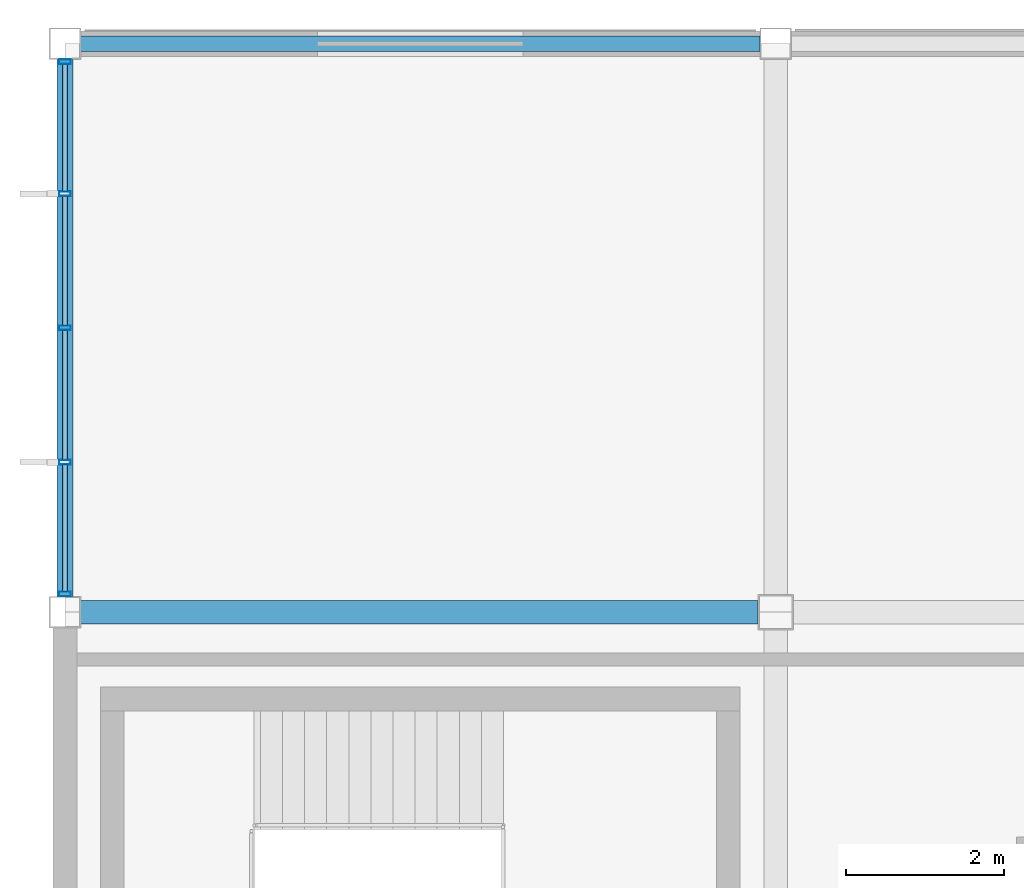
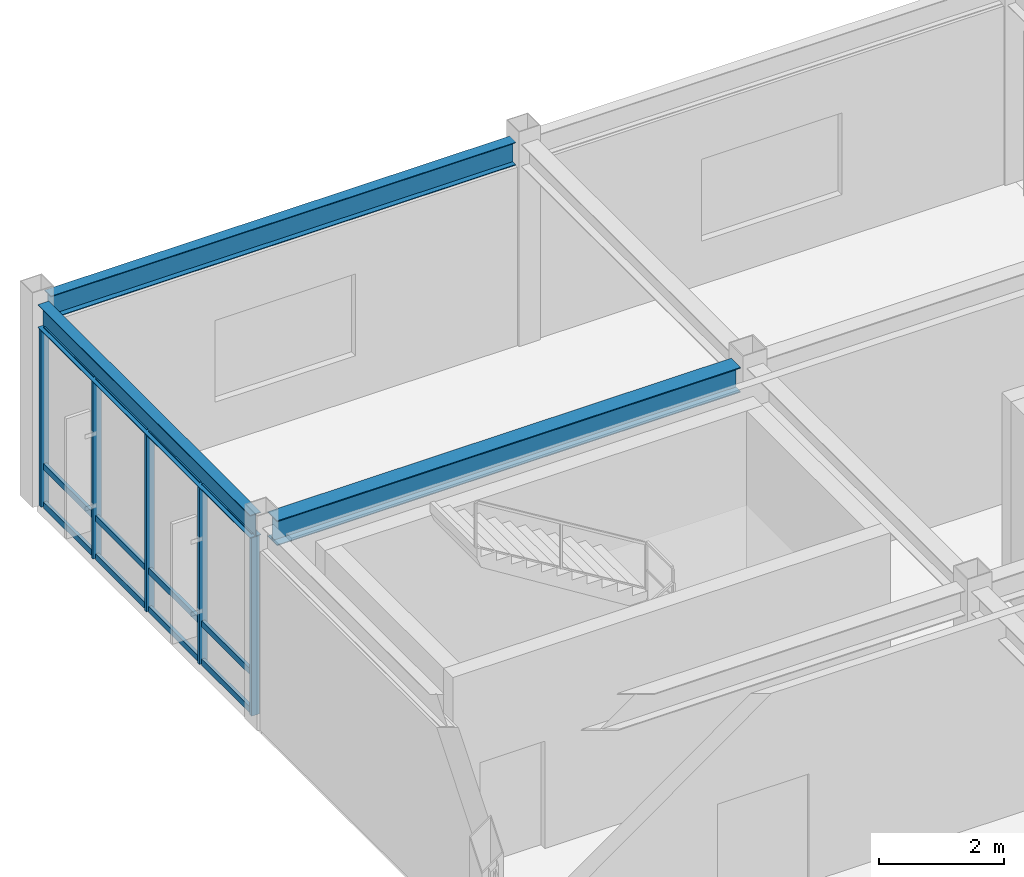
# One storey, part 54 of 106: 17 members, 3 beams, 1 element without a shape of its own.
"""IFC4 building model written with IfcOpenShell, lengths in metres."""

from ifc_helpers import new_model, si_unit, direction, frame, origin, origin_2d, place, context, subcontext, project, spatial, hollow_rectangle, i_section, extrude, material, material_profile, profile_set, type_object, element, aggregate, save


model = new_model("IFC4")

# Units and contexts
model_context = context("Model", 3, precision=1e-05, world=origin(), true_north=direction((0.0, 1.0)))
body_context = subcontext(model_context, "Body", "Model", "MODEL_VIEW")
ifc_project = project(units=[si_unit("LENGTHUNIT", "METRE"), si_unit("AREAUNIT", "SQUARE_METRE"), si_unit("VOLUMEUNIT", "CUBIC_METRE"), si_unit("PLANEANGLEUNIT", "RADIAN"), si_unit("MASSUNIT", "GRAM", prefix="KILO")], contexts=[model_context])

# Site, building, storey
site_placement = place(None, origin())
site = spatial("IfcSite", under=ifc_project, at=site_placement, CompositionType="ELEMENT")
building_placement = place(site_placement, origin())
building = spatial("IfcBuilding", under=site, at=building_placement, Name="Kazanami Central Library", CompositionType="ELEMENT")
storey_placement = place(building_placement, frame((0.0, 0.0, 12.800048828125)))
storey = spatial("IfcBuildingStorey", under=building, at=storey_placement, Name="L04", CompositionType="ELEMENT", Elevation=12.800048828125)

# Beams
ifc_material_1 = material(Name="Steel SN490B (325 MPa)", Category="steel")
ifc_material_profile_1 = material_profile(ifc_material_1, i_section(OverallWidth=0.300048828125, OverallDepth=0.488037109375, WebThickness=0.010986328125, FlangeThickness=0.01806640625, at=origin_2d()), Name="H-488x300x11x18")
ifc_profile_set_1 = profile_set([ifc_material_profile_1], Name="Steel SN490B (325 MPa)")
beam_type_1 = type_object("IfcBeamType", Name="BM-G-X5", PredefinedType="BEAM", material=ifc_profile_set_1)
beam_1_placement = place(storey_placement, frame((0.197998046875, 86.39990234375, 3.696044921875), z_axis=(1.0, 0.0, 0.0), x_axis=(0.0, 1.0, 0.0)))
element("IfcBeam", 1, at=beam_1_placement, inside=storey, type_object=beam_type_1, Name="Girder G-X5 L04 N/1-2", PredefinedType="BEAM", context=body_context, shape_type="SweptSolid", body=[
    extrude(i_section(OverallWidth=0.300048828125, OverallDepth=0.488037109375, WebThickness=0.010986328125, FlangeThickness=0.01806640625, at=origin_2d()), origin(), (0.0, 0.0, 1.0), 8.5791015625),
])
ifc_material_profile_2 = material_profile(ifc_material_1, i_section(OverallWidth=0.199951171875, OverallDepth=0.449951171875, WebThickness=0.009033203125, FlangeThickness=0.013916015625, at=origin_2d()), Name="H-450x200x9x14")
ifc_profile_set_2 = profile_set([ifc_material_profile_2], Name="Steel SN490B (325 MPa)")
beam_type_2 = type_object("IfcBeamType", Name="BM-SP-2", PredefinedType="SPANDREL", material=ifc_profile_set_2)
beam_2_placement = place(storey_placement, frame((0.197998046875, 93.60009765625, 3.71484375), z_axis=(1.0, 0.0, 0.0), x_axis=(0.0, 1.0, 0.0)))
element("IfcBeam", 2, at=beam_2_placement, inside=storey, type_object=beam_type_2, Name="Girder SP-2 L04 O/1-2", PredefinedType="SPANDREL", context=body_context, shape_type="SweptSolid", body=[
    extrude(i_section(OverallWidth=0.199951171875, OverallDepth=0.449951171875, WebThickness=0.009033203125, FlangeThickness=0.013916015625, at=origin_2d()), origin(), (0.0, 0.0, 1.0), 8.60400390625),
])
beam_3_placement = place(storey_placement, frame((0.0, 86.597900390625, 3.71484375), z_axis=(0.0, 1.0, 0.0), x_axis=(-1.0, 0.0, 0.0)))
element("IfcBeam", 3, at=beam_3_placement, inside=storey, type_object=beam_type_2, Name="Girder SP-2 L04 1/N-O", PredefinedType="SPANDREL", context=body_context, shape_type="SweptSolid", body=[
    extrude(i_section(OverallWidth=0.199951171875, OverallDepth=0.449951171875, WebThickness=0.009033203125, FlangeThickness=0.013916015625, at=origin_2d()), origin(), (0.0, 0.0, 1.0), 6.80419921875),
])

# Curtain wall, members
ifc_material_2 = material(Name="Acid-Etched Low-E Laminated Glass", Category="glass")
curtain_wall_type = type_object("IfcCurtainWallType", Name="CW-6800x3490-M180", PredefinedType="USERDEFINED", material=ifc_material_2)
curtain_wall_placement = place(storey_placement, origin())
curtain_wall = element("IfcCurtainWall", 4, at=curtain_wall_placement, inside=storey, type_object=curtain_wall_type, Name="Unitised Curtain Wall CW-43 L04 W-1-12", ObjectType="UNITISED CURTAIN WALL", PredefinedType="USERDEFINED")
ifc_material_3 = material(Name="Anodised Aluminium A6063-T5", Category="aluminium")
ifc_material_profile_3 = material_profile(ifc_material_3, hollow_rectangle(XDim=0.06005859375, YDim=0.14990234375, WallThickness=0.00390625, at=origin_2d()), Name="ALU-MULL-60x150x4")
ifc_profile_set_3 = profile_set([ifc_material_profile_3], Name="Anodised Aluminium A6063-T5")
member_type_1 = type_object("IfcMemberType", Name="MEM-CW-M3", PredefinedType="MULLION", material=ifc_profile_set_3)
member_1_placement = place(storey_placement, frame((0.0, 86.6298828125, 0.0), z_axis=(0.0, 0.0, 1.0), x_axis=(0.0, 1.0, 0.0)))
member_1 = element("IfcMember", 5, at=member_1_placement, type_object=member_type_1, Name="CW-43 mullion 1", PredefinedType="MULLION", context=body_context, shape_type="SweptSolid", body=[
    extrude(hollow_rectangle(XDim=0.06005859375, YDim=0.14990234375, WallThickness=0.00390625, at=origin_2d()), origin(), (0.0, 0.0, 1.0), 3.489990234375),
])
member_2_placement = place(storey_placement, frame((0.0, 88.300048828125, 0.0), z_axis=(0.0, 0.0, 1.0), x_axis=(0.0, 1.0, 0.0)))
member_2 = element("IfcMember", 6, at=member_2_placement, type_object=member_type_1, Name="CW-43 mullion 2", PredefinedType="MULLION", context=body_context, shape_type="SweptSolid", body=[
    extrude(hollow_rectangle(XDim=0.06005859375, YDim=0.14990234375, WallThickness=0.00390625, at=origin_2d()), origin(), (0.0, 0.0, 1.0), 3.489990234375),
])
member_3_placement = place(storey_placement, frame((0.0, 90.0, 0.0), z_axis=(0.0, 0.0, 1.0), x_axis=(0.0, 1.0, 0.0)))
member_3 = element("IfcMember", 7, at=member_3_placement, type_object=member_type_1, Name="CW-43 mullion 3", PredefinedType="MULLION", context=body_context, shape_type="SweptSolid", body=[
    extrude(hollow_rectangle(XDim=0.06005859375, YDim=0.14990234375, WallThickness=0.00390625, at=origin_2d()), origin(), (0.0, 0.0, 1.0), 3.489990234375),
])
member_4_placement = place(storey_placement, frame((0.0, 91.699951171875, 0.0), z_axis=(0.0, 0.0, 1.0), x_axis=(0.0, 1.0, 0.0)))
member_4 = element("IfcMember", 8, at=member_4_placement, type_object=member_type_1, Name="CW-43 mullion 4", PredefinedType="MULLION", context=body_context, shape_type="SweptSolid", body=[
    extrude(hollow_rectangle(XDim=0.06005859375, YDim=0.14990234375, WallThickness=0.00390625, at=origin_2d()), origin(), (0.0, 0.0, 1.0), 3.489990234375),
])
member_5_placement = place(storey_placement, frame((0.0, 93.3701171875, 0.0), z_axis=(0.0, 0.0, 1.0), x_axis=(0.0, 1.0, 0.0)))
member_5 = element("IfcMember", 9, at=member_5_placement, type_object=member_type_1, Name="CW-43 mullion 5", PredefinedType="MULLION", context=body_context, shape_type="SweptSolid", body=[
    extrude(hollow_rectangle(XDim=0.06005859375, YDim=0.14990234375, WallThickness=0.00390625, at=origin_2d()), origin(), (0.0, 0.0, 1.0), 3.489990234375),
])
ifc_material_profile_4 = material_profile(ifc_material_3, hollow_rectangle(XDim=0.06005859375, YDim=0.1201171875, WallThickness=0.00341796875, at=origin_2d()), Name="ALU-TRAN-60x120x3.5")
ifc_profile_set_4 = profile_set([ifc_material_profile_4], Name="Anodised Aluminium A6063-T5")
member_type_2 = type_object("IfcMemberType", Name="MEM-CW-T3", PredefinedType="USERDEFINED", material=ifc_profile_set_4)
member_6_placement = place(storey_placement, frame((0.0, 86.659912109375, 0.030029296875), z_axis=(0.0, 1.0, 0.0), x_axis=(-1.0, 0.0, 0.0)))
member_6 = element("IfcMember", 10, at=member_6_placement, type_object=member_type_2, Name="CW-43 transom 1.1", ObjectType="TRANSOM", PredefinedType="USERDEFINED", context=body_context, shape_type="SweptSolid", body=[
    extrude(hollow_rectangle(XDim=0.06005859375, YDim=0.1201171875, WallThickness=0.00341796875, at=origin_2d()), origin(), (0.0, 0.0, 1.0), 1.610107421875),
])
member_7_placement = place(storey_placement, frame((0.0, 86.659912109375, 0.780029296875), z_axis=(0.0, 1.0, 0.0), x_axis=(-1.0, 0.0, 0.0)))
member_7 = element("IfcMember", 11, at=member_7_placement, type_object=member_type_2, Name="CW-43 transom 1.2", ObjectType="TRANSOM", PredefinedType="USERDEFINED", context=body_context, shape_type="SweptSolid", body=[
    extrude(hollow_rectangle(XDim=0.06005859375, YDim=0.1201171875, WallThickness=0.00341796875, at=origin_2d()), origin(), (0.0, 0.0, 1.0), 1.610107421875),
])
member_8_placement = place(storey_placement, frame((0.0, 86.659912109375, 3.4599609375), z_axis=(0.0, 1.0, 0.0), x_axis=(-1.0, 0.0, 0.0)))
member_8 = element("IfcMember", 12, at=member_8_placement, type_object=member_type_2, Name="CW-43 transom 1.3", ObjectType="TRANSOM", PredefinedType="USERDEFINED", context=body_context, shape_type="SweptSolid", body=[
    extrude(hollow_rectangle(XDim=0.06005859375, YDim=0.1201171875, WallThickness=0.00341796875, at=origin_2d()), origin(), (0.0, 0.0, 1.0), 1.610107421875),
])
member_9_placement = place(storey_placement, frame((0.0, 88.330078125, 0.030029296875), z_axis=(0.0, 1.0, 0.0), x_axis=(-1.0, 0.0, 0.0)))
member_9 = element("IfcMember", 13, at=member_9_placement, type_object=member_type_2, Name="CW-43 transom 2.1", ObjectType="TRANSOM", PredefinedType="USERDEFINED", context=body_context, shape_type="SweptSolid", body=[
    extrude(hollow_rectangle(XDim=0.06005859375, YDim=0.1201171875, WallThickness=0.00341796875, at=origin_2d()), origin(), (0.0, 0.0, 1.0), 1.639892578125),
])
member_10_placement = place(storey_placement, frame((0.0, 88.330078125, 0.780029296875), z_axis=(0.0, 1.0, 0.0), x_axis=(-1.0, 0.0, 0.0)))
member_10 = element("IfcMember", 14, at=member_10_placement, type_object=member_type_2, Name="CW-43 transom 2.2", ObjectType="TRANSOM", PredefinedType="USERDEFINED", context=body_context, shape_type="SweptSolid", body=[
    extrude(hollow_rectangle(XDim=0.06005859375, YDim=0.1201171875, WallThickness=0.00341796875, at=origin_2d()), origin(), (0.0, 0.0, 1.0), 1.639892578125),
])
member_11_placement = place(storey_placement, frame((0.0, 88.330078125, 3.4599609375), z_axis=(0.0, 1.0, 0.0), x_axis=(-1.0, 0.0, 0.0)))
member_11 = element("IfcMember", 15, at=member_11_placement, type_object=member_type_2, Name="CW-43 transom 2.3", ObjectType="TRANSOM", PredefinedType="USERDEFINED", context=body_context, shape_type="SweptSolid", body=[
    extrude(hollow_rectangle(XDim=0.06005859375, YDim=0.1201171875, WallThickness=0.00341796875, at=origin_2d()), origin(), (0.0, 0.0, 1.0), 1.639892578125),
])
member_12_placement = place(storey_placement, frame((0.0, 90.030029296875, 0.030029296875), z_axis=(0.0, 1.0, 0.0), x_axis=(-1.0, 0.0, 0.0)))
member_12 = element("IfcMember", 16, at=member_12_placement, type_object=member_type_2, Name="CW-43 transom 3.1", ObjectType="TRANSOM", PredefinedType="USERDEFINED", context=body_context, shape_type="SweptSolid", body=[
    extrude(hollow_rectangle(XDim=0.06005859375, YDim=0.1201171875, WallThickness=0.00341796875, at=origin_2d()), origin(), (0.0, 0.0, 1.0), 1.639892578125),
])
member_13_placement = place(storey_placement, frame((0.0, 90.030029296875, 0.780029296875), z_axis=(0.0, 1.0, 0.0), x_axis=(-1.0, 0.0, 0.0)))
member_13 = element("IfcMember", 17, at=member_13_placement, type_object=member_type_2, Name="CW-43 transom 3.2", ObjectType="TRANSOM", PredefinedType="USERDEFINED", context=body_context, shape_type="SweptSolid", body=[
    extrude(hollow_rectangle(XDim=0.06005859375, YDim=0.1201171875, WallThickness=0.00341796875, at=origin_2d()), origin(), (0.0, 0.0, 1.0), 1.639892578125),
])
member_14_placement = place(storey_placement, frame((0.0, 90.030029296875, 3.4599609375), z_axis=(0.0, 1.0, 0.0), x_axis=(-1.0, 0.0, 0.0)))
member_14 = element("IfcMember", 18, at=member_14_placement, type_object=member_type_2, Name="CW-43 transom 3.3", ObjectType="TRANSOM", PredefinedType="USERDEFINED", context=body_context, shape_type="SweptSolid", body=[
    extrude(hollow_rectangle(XDim=0.06005859375, YDim=0.1201171875, WallThickness=0.00341796875, at=origin_2d()), origin(), (0.0, 0.0, 1.0), 1.639892578125),
])
member_15_placement = place(storey_placement, frame((0.0, 91.72998046875, 0.030029296875), z_axis=(0.0, 1.0, 0.0), x_axis=(-1.0, 0.0, 0.0)))
member_15 = element("IfcMember", 19, at=member_15_placement, type_object=member_type_2, Name="CW-43 transom 4.1", ObjectType="TRANSOM", PredefinedType="USERDEFINED", context=body_context, shape_type="SweptSolid", body=[
    extrude(hollow_rectangle(XDim=0.06005859375, YDim=0.1201171875, WallThickness=0.00341796875, at=origin_2d()), origin(), (0.0, 0.0, 1.0), 1.610107421875),
])
member_16_placement = place(storey_placement, frame((0.0, 91.72998046875, 0.780029296875), z_axis=(0.0, 1.0, 0.0), x_axis=(-1.0, 0.0, 0.0)))
member_16 = element("IfcMember", 20, at=member_16_placement, type_object=member_type_2, Name="CW-43 transom 4.2", ObjectType="TRANSOM", PredefinedType="USERDEFINED", context=body_context, shape_type="SweptSolid", body=[
    extrude(hollow_rectangle(XDim=0.06005859375, YDim=0.1201171875, WallThickness=0.00341796875, at=origin_2d()), origin(), (0.0, 0.0, 1.0), 1.610107421875),
])
member_17_placement = place(storey_placement, frame((0.0, 91.72998046875, 3.4599609375), z_axis=(0.0, 1.0, 0.0), x_axis=(-1.0, 0.0, 0.0)))
member_17 = element("IfcMember", 21, at=member_17_placement, type_object=member_type_2, Name="CW-43 transom 4.3", ObjectType="TRANSOM", PredefinedType="USERDEFINED", context=body_context, shape_type="SweptSolid", body=[
    extrude(hollow_rectangle(XDim=0.06005859375, YDim=0.1201171875, WallThickness=0.00341796875, at=origin_2d()), origin(), (0.0, 0.0, 1.0), 1.610107421875),
])
aggregate(curtain_wall, [member_1, member_2, member_3, member_4, member_5, member_6, member_7, member_8, member_9, member_10, member_11, member_12, member_13, member_14, member_15, member_16, member_17])

save(model, "model.ifc")
